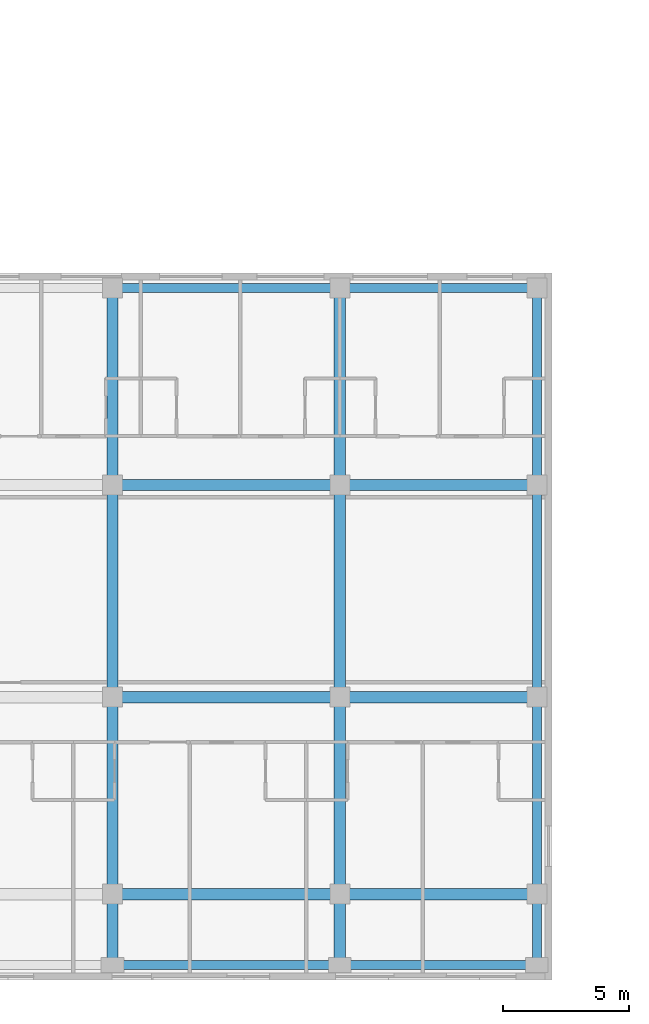
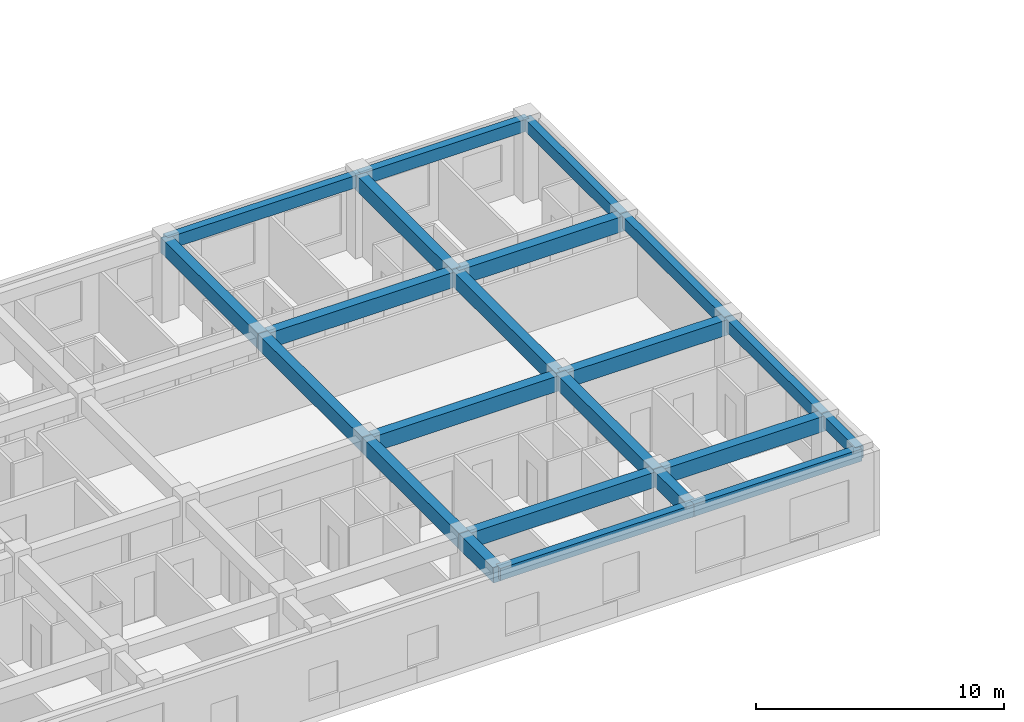
# One storey, part 24 of 123: 22 beams.
"""IFC4 building model written with IfcOpenShell, lengths in metres."""

from ifc_helpers import new_model, si_unit, direction, frame, origin, origin_2d, place, context, subcontext, project, spatial, rectangle, extrude, material, material_profile, profile_set, type_object, element, save


model = new_model("IFC4")

# Units and contexts
model_context = context("Model", 3, precision=1e-05, world=origin(), true_north=direction((0.0, 1.0)))
body_context = subcontext(model_context, "Body", "Model", "MODEL_VIEW")
ifc_project = project(units=[si_unit("LENGTHUNIT", "METRE"), si_unit("AREAUNIT", "SQUARE_METRE"), si_unit("VOLUMEUNIT", "CUBIC_METRE"), si_unit("PLANEANGLEUNIT", "RADIAN"), si_unit("MASSUNIT", "GRAM", prefix="KILO")], contexts=[model_context])

# Site, building, storey
site_placement = place(None, origin())
site = spatial("IfcSite", under=ifc_project, at=site_placement, CompositionType="ELEMENT")
building_placement = place(site_placement, origin())
building = spatial("IfcBuilding", under=site, at=building_placement, Name="Zayran Congress Hotel", CompositionType="ELEMENT")
storey_placement = place(building_placement, frame((0.0, 0.0, 15.0)))
storey = spatial("IfcBuildingStorey", under=building, at=storey_placement, Name="L03", CompositionType="ELEMENT", Elevation=15.0)

# Beams
ifc_material = material(Name="Concrete C40/50", Category="concrete")
ifc_material_profile_1 = material_profile(ifc_material, rectangle(XDim=0.449951171875, YDim=0.75, at=origin_2d()), Name="RC 450x750")
ifc_profile_set_1 = profile_set([ifc_material_profile_1], Name="Concrete C40/50")
beam_type_1 = type_object("IfcBeamType", Name="TP-BM-02", PredefinedType="BEAM", material=ifc_profile_set_1)
beam_1_placement = place(storey_placement, frame((75.0, 9.39990234375, 3.544921875), z_axis=(1.0, 0.0, 0.0), x_axis=(0.0, 1.0, 0.0)))
element("IfcBeam", 1, at=beam_1_placement, inside=storey, type_object=beam_type_1, Name="BM-V5-L03-1878", PredefinedType="BEAM", context=body_context, shape_type="SweptSolid", body=[
    extrude(rectangle(XDim=0.449951171875, YDim=0.75, at=origin_2d()), origin(), (0.0, 0.0, 1.0), 9.0),
])
beam_2_placement = place(storey_placement, frame((84.0, 9.39990234375, 3.544921875), z_axis=(1.0, 0.0, 0.0), x_axis=(0.0, 1.0, 0.0)))
element("IfcBeam", 2, at=beam_2_placement, inside=storey, type_object=beam_type_1, Name="BM-V5-L03-1879", PredefinedType="BEAM", context=body_context, shape_type="SweptSolid", body=[
    extrude(rectangle(XDim=0.449951171875, YDim=0.75, at=origin_2d()), origin(), (0.0, 0.0, 1.0), 7.800048828125),
])
beam_3_placement = place(storey_placement, frame((75.0, 17.199951171875, 3.544921875), z_axis=(1.0, 0.0, 0.0), x_axis=(0.0, 1.0, 0.0)))
element("IfcBeam", 3, at=beam_3_placement, inside=storey, type_object=beam_type_1, Name="BM-V5-L03-1888", PredefinedType="BEAM", context=body_context, shape_type="SweptSolid", body=[
    extrude(rectangle(XDim=0.449951171875, YDim=0.75, at=origin_2d()), origin(), (0.0, 0.0, 1.0), 9.0),
])
beam_4_placement = place(storey_placement, frame((84.0, 17.199951171875, 3.544921875), z_axis=(1.0, 0.0, 0.0), x_axis=(0.0, 1.0, 0.0)))
element("IfcBeam", 4, at=beam_4_placement, inside=storey, type_object=beam_type_1, Name="BM-V5-L03-1889", PredefinedType="BEAM", context=body_context, shape_type="SweptSolid", body=[
    extrude(rectangle(XDim=0.449951171875, YDim=0.75, at=origin_2d()), origin(), (0.0, 0.0, 1.0), 7.800048828125),
])
beam_5_placement = place(storey_placement, frame((75.0, 25.60009765625, 3.544921875), z_axis=(1.0, 0.0, 0.0), x_axis=(0.0, 1.0, 0.0)))
element("IfcBeam", 5, at=beam_5_placement, inside=storey, type_object=beam_type_1, Name="BM-V5-L03-1898", PredefinedType="BEAM", context=body_context, shape_type="SweptSolid", body=[
    extrude(rectangle(XDim=0.449951171875, YDim=0.75, at=origin_2d()), origin(), (0.0, 0.0, 1.0), 9.0),
])
beam_6_placement = place(storey_placement, frame((84.0, 25.60009765625, 3.544921875), z_axis=(1.0, 0.0, 0.0), x_axis=(0.0, 1.0, 0.0)))
element("IfcBeam", 6, at=beam_6_placement, inside=storey, type_object=beam_type_1, Name="BM-V5-L03-1899", PredefinedType="BEAM", context=body_context, shape_type="SweptSolid", body=[
    extrude(rectangle(XDim=0.449951171875, YDim=0.75, at=origin_2d()), origin(), (0.0, 0.0, 1.0), 7.800048828125),
])
beam_7_placement = place(storey_placement, frame((75.0, 6.60009765625, 3.544921875), z_axis=(0.0, 1.0, 0.0), x_axis=(-1.0, 0.0, 0.0)))
element("IfcBeam", 7, at=beam_7_placement, inside=storey, type_object=beam_type_1, Name="BM-V5-L03-1940", PredefinedType="BEAM", context=body_context, shape_type="SweptSolid", body=[
    extrude(rectangle(XDim=0.449951171875, YDim=0.75, at=origin_2d()), origin(), (0.0, 0.0, 1.0), 2.7998046875),
])
beam_8_placement = place(storey_placement, frame((75.0, 9.39990234375, 3.544921875), z_axis=(0.0, 1.0, 0.0), x_axis=(-1.0, 0.0, 0.0)))
element("IfcBeam", 8, at=beam_8_placement, inside=storey, type_object=beam_type_1, Name="BM-V5-L03-1941", PredefinedType="BEAM", context=body_context, shape_type="SweptSolid", body=[
    extrude(rectangle(XDim=0.449951171875, YDim=0.75, at=origin_2d()), origin(), (0.0, 0.0, 1.0), 7.800048828125),
])
beam_9_placement = place(storey_placement, frame((75.0, 17.199951171875, 3.544921875), z_axis=(0.0, 1.0, 0.0), x_axis=(-1.0, 0.0, 0.0)))
element("IfcBeam", 9, at=beam_9_placement, inside=storey, type_object=beam_type_1, Name="BM-V5-L03-1942", PredefinedType="BEAM", context=body_context, shape_type="SweptSolid", body=[
    extrude(rectangle(XDim=0.449951171875, YDim=0.75, at=origin_2d()), origin(), (0.0, 0.0, 1.0), 8.400146484375),
])
beam_10_placement = place(storey_placement, frame((75.0, 25.60009765625, 3.544921875), z_axis=(0.0, 1.0, 0.0), x_axis=(-1.0, 0.0, 0.0)))
element("IfcBeam", 10, at=beam_10_placement, inside=storey, type_object=beam_type_1, Name="BM-V5-L03-1943", PredefinedType="BEAM", context=body_context, shape_type="SweptSolid", body=[
    extrude(rectangle(XDim=0.449951171875, YDim=0.75, at=origin_2d()), origin(), (0.0, 0.0, 1.0), 7.7998046875),
])
beam_11_placement = place(storey_placement, frame((84.0, 6.60009765625, 3.544921875), z_axis=(0.0, 1.0, 0.0), x_axis=(-1.0, 0.0, 0.0)))
element("IfcBeam", 11, at=beam_11_placement, inside=storey, type_object=beam_type_1, Name="BM-V5-L03-1944", PredefinedType="BEAM", context=body_context, shape_type="SweptSolid", body=[
    extrude(rectangle(XDim=0.449951171875, YDim=0.75, at=origin_2d()), origin(), (0.0, 0.0, 1.0), 2.7998046875),
])
beam_12_placement = place(storey_placement, frame((84.0, 9.39990234375, 3.544921875), z_axis=(0.0, 1.0, 0.0), x_axis=(-1.0, 0.0, 0.0)))
element("IfcBeam", 12, at=beam_12_placement, inside=storey, type_object=beam_type_1, Name="BM-V5-L03-1945", PredefinedType="BEAM", context=body_context, shape_type="SweptSolid", body=[
    extrude(rectangle(XDim=0.449951171875, YDim=0.75, at=origin_2d()), origin(), (0.0, 0.0, 1.0), 7.800048828125),
])
beam_13_placement = place(storey_placement, frame((84.0, 17.199951171875, 3.544921875), z_axis=(0.0, 1.0, 0.0), x_axis=(-1.0, 0.0, 0.0)))
element("IfcBeam", 13, at=beam_13_placement, inside=storey, type_object=beam_type_1, Name="BM-V5-L03-1946", PredefinedType="BEAM", context=body_context, shape_type="SweptSolid", body=[
    extrude(rectangle(XDim=0.449951171875, YDim=0.75, at=origin_2d()), origin(), (0.0, 0.0, 1.0), 8.400146484375),
])
beam_14_placement = place(storey_placement, frame((84.0, 25.60009765625, 3.544921875), z_axis=(0.0, 1.0, 0.0), x_axis=(-1.0, 0.0, 0.0)))
element("IfcBeam", 14, at=beam_14_placement, inside=storey, type_object=beam_type_1, Name="BM-V5-L03-1947", PredefinedType="BEAM", context=body_context, shape_type="SweptSolid", body=[
    extrude(rectangle(XDim=0.449951171875, YDim=0.75, at=origin_2d()), origin(), (0.0, 0.0, 1.0), 7.7998046875),
])
ifc_material_profile_2 = material_profile(ifc_material, rectangle(XDim=0.35009765625, YDim=0.60009765625, at=origin_2d()), Name="RC 350x600")
ifc_profile_set_2 = profile_set([ifc_material_profile_2], Name="Concrete C40/50")
beam_type_2 = type_object("IfcBeamType", Name="TP-SP-01", PredefinedType="SPANDREL", material=ifc_profile_set_2)
beam_15_placement = place(storey_placement, frame((75.0, 6.60009765625, 3.6201171875), z_axis=(1.0, 0.0, 0.0), x_axis=(0.0, 1.0, 0.0)))
element("IfcBeam", 15, at=beam_15_placement, inside=storey, type_object=beam_type_2, Name="BM-V5-L03-1868", PredefinedType="SPANDREL", context=body_context, shape_type="SweptSolid", body=[
    extrude(rectangle(XDim=0.35009765625, YDim=0.60009765625, at=origin_2d()), origin(), (0.0, 0.0, 1.0), 9.0),
])
beam_16_placement = place(storey_placement, frame((84.0, 6.60009765625, 3.6201171875), z_axis=(1.0, 0.0, 0.0), x_axis=(0.0, 1.0, 0.0)))
element("IfcBeam", 16, at=beam_16_placement, inside=storey, type_object=beam_type_2, Name="BM-V5-L03-1869", PredefinedType="SPANDREL", context=body_context, shape_type="SweptSolid", body=[
    extrude(rectangle(XDim=0.35009765625, YDim=0.60009765625, at=origin_2d()), origin(), (0.0, 0.0, 1.0), 7.800048828125),
])
beam_17_placement = place(storey_placement, frame((75.0, 33.39990234375, 3.6201171875), z_axis=(1.0, 0.0, 0.0), x_axis=(0.0, 1.0, 0.0)))
element("IfcBeam", 17, at=beam_17_placement, inside=storey, type_object=beam_type_2, Name="BM-V5-L03-1908", PredefinedType="SPANDREL", context=body_context, shape_type="SweptSolid", body=[
    extrude(rectangle(XDim=0.35009765625, YDim=0.60009765625, at=origin_2d()), origin(), (0.0, 0.0, 1.0), 9.0),
])
beam_18_placement = place(storey_placement, frame((84.0, 33.39990234375, 3.6201171875), z_axis=(1.0, 0.0, 0.0), x_axis=(0.0, 1.0, 0.0)))
element("IfcBeam", 18, at=beam_18_placement, inside=storey, type_object=beam_type_2, Name="BM-V5-L03-1909", PredefinedType="SPANDREL", context=body_context, shape_type="SweptSolid", body=[
    extrude(rectangle(XDim=0.35009765625, YDim=0.60009765625, at=origin_2d()), origin(), (0.0, 0.0, 1.0), 7.800048828125),
])
beam_19_placement = place(storey_placement, frame((91.800048828125, 6.60009765625, 3.6201171875), z_axis=(0.0, 1.0, 0.0), x_axis=(-1.0, 0.0, 0.0)))
element("IfcBeam", 19, at=beam_19_placement, inside=storey, type_object=beam_type_2, Name="BM-V5-L03-1948", PredefinedType="SPANDREL", context=body_context, shape_type="SweptSolid", body=[
    extrude(rectangle(XDim=0.35009765625, YDim=0.60009765625, at=origin_2d()), origin(), (0.0, 0.0, 1.0), 2.7998046875),
])
beam_20_placement = place(storey_placement, frame((91.800048828125, 9.39990234375, 3.6201171875), z_axis=(0.0, 1.0, 0.0), x_axis=(-1.0, 0.0, 0.0)))
element("IfcBeam", 20, at=beam_20_placement, inside=storey, type_object=beam_type_2, Name="BM-V5-L03-1949", PredefinedType="SPANDREL", context=body_context, shape_type="SweptSolid", body=[
    extrude(rectangle(XDim=0.35009765625, YDim=0.60009765625, at=origin_2d()), origin(), (0.0, 0.0, 1.0), 7.800048828125),
])
beam_21_placement = place(storey_placement, frame((91.800048828125, 17.199951171875, 3.6201171875), z_axis=(0.0, 1.0, 0.0), x_axis=(-1.0, 0.0, 0.0)))
element("IfcBeam", 21, at=beam_21_placement, inside=storey, type_object=beam_type_2, Name="BM-V5-L03-1950", PredefinedType="SPANDREL", context=body_context, shape_type="SweptSolid", body=[
    extrude(rectangle(XDim=0.35009765625, YDim=0.60009765625, at=origin_2d()), origin(), (0.0, 0.0, 1.0), 8.400146484375),
])
beam_22_placement = place(storey_placement, frame((91.800048828125, 25.60009765625, 3.6201171875), z_axis=(0.0, 1.0, 0.0), x_axis=(-1.0, 0.0, 0.0)))
element("IfcBeam", 22, at=beam_22_placement, inside=storey, type_object=beam_type_2, Name="BM-V5-L03-1951", PredefinedType="SPANDREL", context=body_context, shape_type="SweptSolid", body=[
    extrude(rectangle(XDim=0.35009765625, YDim=0.60009765625, at=origin_2d()), origin(), (0.0, 0.0, 1.0), 7.7998046875),
])

save(model, "model.ifc")
